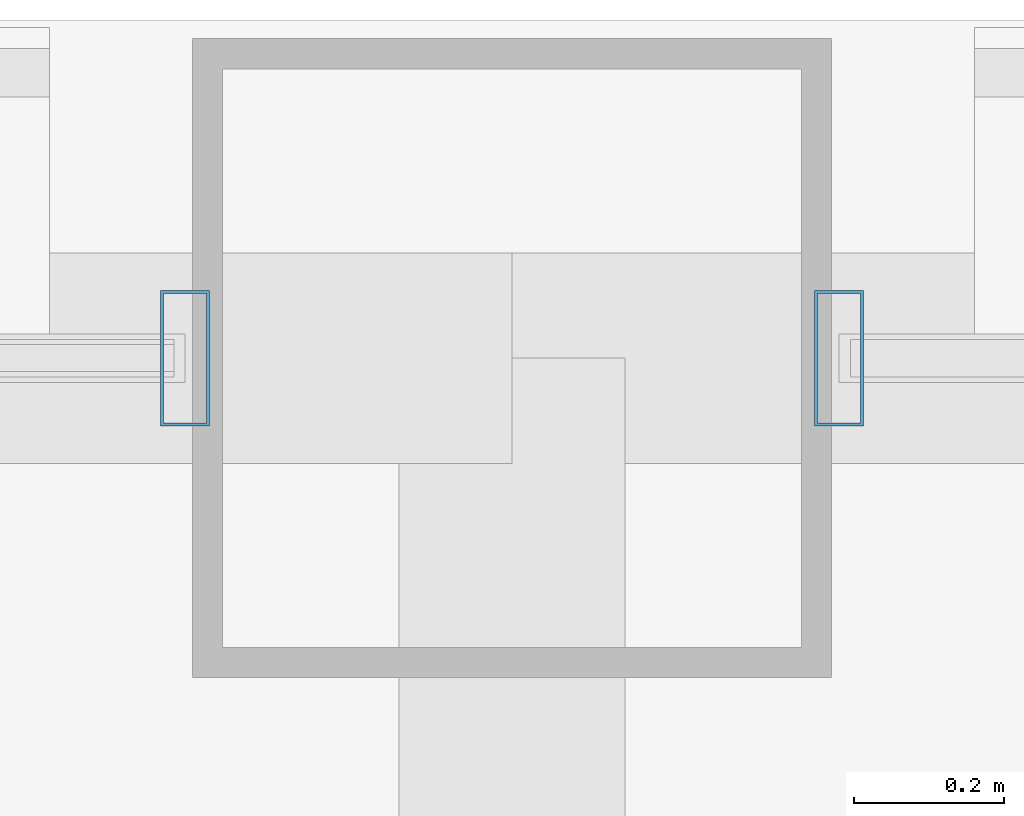
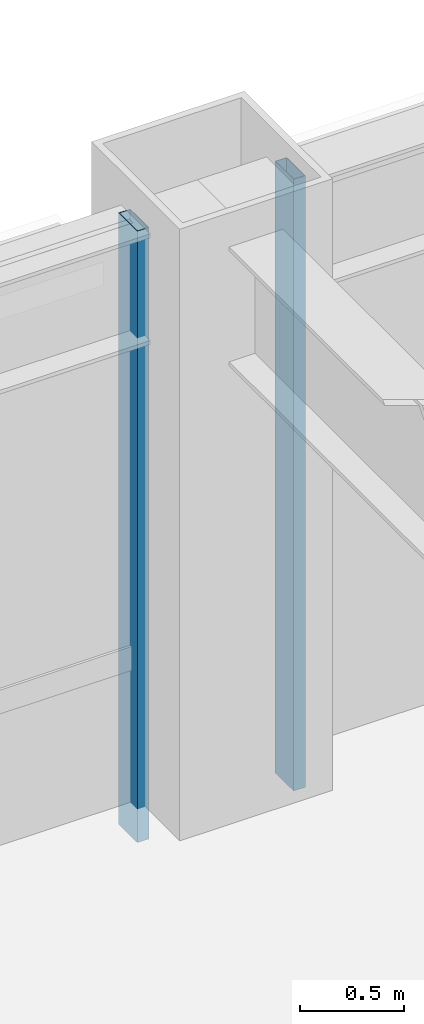
# One storey, part 19 of 29: 2 members, 2 elements without a shape of their own.
"""IFC4 building model written with IfcOpenShell, lengths in metres."""

from ifc_helpers import new_model, si_unit, direction, frame, origin, origin_2d, place, context, subcontext, project, spatial, hollow_rectangle, extrude, material, layer, layer_set, material_profile, profile_set, type_object, element, aggregate, save


model = new_model("IFC4")

# Units and contexts
model_context = context("Model", 3, precision=1e-05, world=origin(), true_north=direction((0.0, 1.0)))
body_context = subcontext(model_context, "Body", "Model", "MODEL_VIEW")
ifc_project = project(units=[si_unit("LENGTHUNIT", "METRE"), si_unit("AREAUNIT", "SQUARE_METRE"), si_unit("VOLUMEUNIT", "CUBIC_METRE"), si_unit("PLANEANGLEUNIT", "RADIAN"), si_unit("MASSUNIT", "GRAM", prefix="KILO")], contexts=[model_context])

# Site, building, storey
site_placement = place(None, origin())
site = spatial("IfcSite", under=ifc_project, at=site_placement, CompositionType="ELEMENT")
building_placement = place(site_placement, origin())
building = spatial("IfcBuilding", under=site, at=building_placement, Name="Brelmoor Portico Tower", CompositionType="ELEMENT")
storey_placement = place(building_placement, frame((0.0, 0.0, 95.39990234375)))
storey = spatial("IfcBuildingStorey", under=building, at=storey_placement, Name="L24", CompositionType="ELEMENT", Elevation=95.39990234375)

# Curtain wall, member
ifc_material = material(Name="Anodised Aluminium Alloy 6063-T6", Category="aluminium")
ifc_layer_1 = layer(ifc_material, 0.179931640625)
ifc_layer_set_1 = layer_set([ifc_layer_1], Name="Anodised Aluminium Alloy 6063-T6")
curtain_wall_type_1 = type_object("IfcCurtainWallType", Name="CW-TOWER-Z2", PredefinedType="NOTDEFINED", material=ifc_layer_set_1)
curtain_wall_1_placement = place(storey_placement, origin())
curtain_wall_1 = element("IfcCurtainWall", 1, at=curtain_wall_1_placement, inside=storey, type_object=curtain_wall_type_1, Name="L24 Curtain Wall CW-L24-02-2", PredefinedType="NOTDEFINED")
ifc_material_profile = material_profile(ifc_material, hollow_rectangle(XDim=0.06494140625, YDim=0.179931640625, WallThickness=0.00390625, at=origin_2d()), Name="ALU MULLION 65x180")
ifc_profile_set = profile_set([ifc_material_profile], Name="Anodised Aluminium Alloy 6063-T6")
member_type = type_object("IfcMemberType", Name="MB-CW-MULL-180", PredefinedType="MULLION", material=ifc_profile_set)
member_1_placement = place(storey_placement, frame((-8.485107421875, 19.550048828125, -0.199951171875), z_axis=(0.0, 0.0, 1.0), x_axis=(1.0, 0.0, 0.0)))
member_1 = element("IfcMember", 2, at=member_1_placement, type_object=member_type, Name="CW-L24-02-2 Mullion 01", PredefinedType="MULLION", context=body_context, shape_type="SweptSolid", body=[
    extrude(hollow_rectangle(XDim=0.06494140625, YDim=0.179931640625, WallThickness=0.00390625, at=origin_2d()), origin(), (0.0, 0.0, 1.0), 3.60009765625),
])
aggregate(curtain_wall_1, [member_1])

ifc_layer_2 = layer(ifc_material, 0.179931640625)
ifc_layer_set_2 = layer_set([ifc_layer_2], Name="Anodised Aluminium Alloy 6063-T6")
curtain_wall_type_2 = type_object("IfcCurtainWallType", Name="CW-TOWER-Z2-XB", PredefinedType="NOTDEFINED", material=ifc_layer_set_2)
curtain_wall_2_placement = place(storey_placement, origin())
curtain_wall_2 = element("IfcCurtainWall", 3, at=curtain_wall_2_placement, inside=storey, type_object=curtain_wall_type_2, Name="L24 Curtain Wall CW-L24-02-3", PredefinedType="NOTDEFINED")
member_2_placement = place(storey_placement, frame((-7.614990234375, 19.550048828125, -0.199951171875), z_axis=(0.0, 0.0, 1.0), x_axis=(1.0, 0.0, 0.0)))
member_2 = element("IfcMember", 4, at=member_2_placement, type_object=member_type, Name="CW-L24-02-3 Mullion 00", PredefinedType="MULLION", context=body_context, shape_type="SweptSolid", body=[
    extrude(hollow_rectangle(XDim=0.06494140625, YDim=0.179931640625, WallThickness=0.00390625, at=origin_2d()), origin(), (0.0, 0.0, 1.0), 3.60009765625),
])
aggregate(curtain_wall_2, [member_2])

save(model, "model.ifc")
